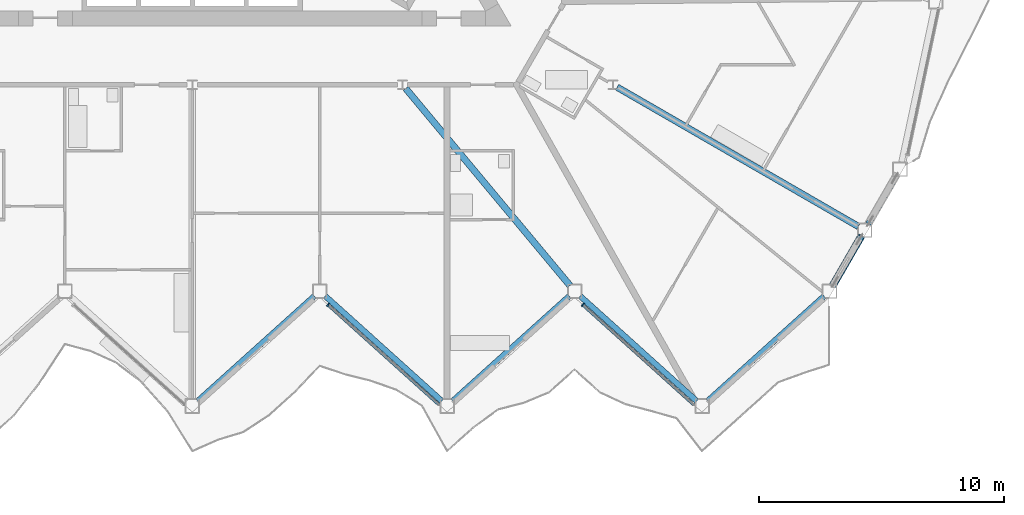
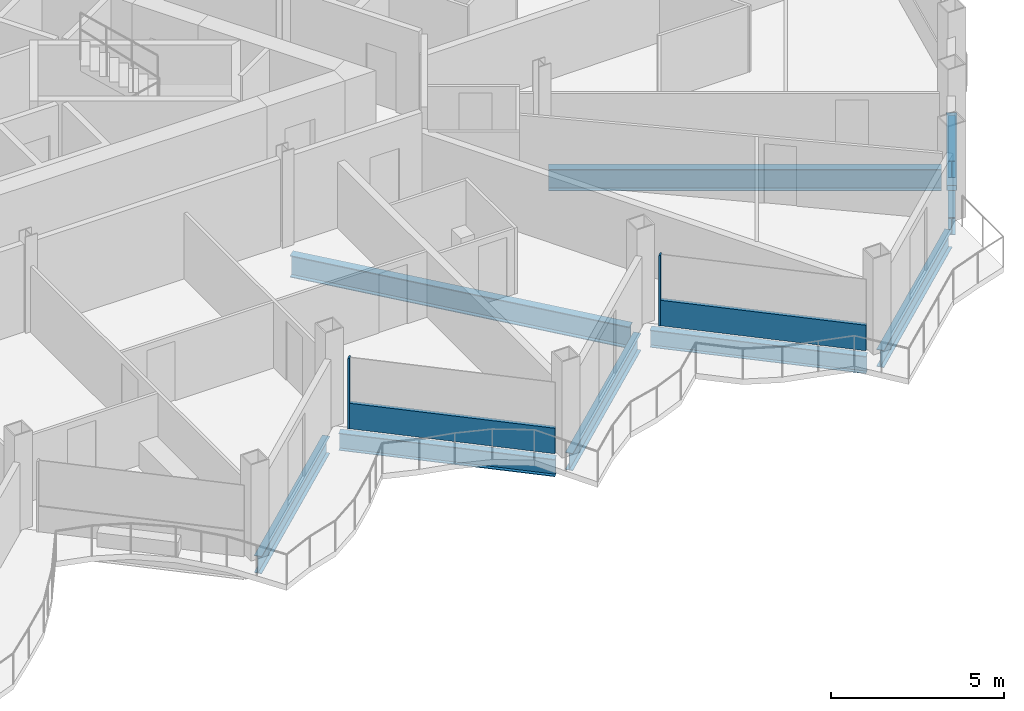
# One storey, part 7 of 27: 9 beams, 5 members, 2 elements without a shape of their own.
"""IFC4 building model written with IfcOpenShell, lengths in metres."""

from ifc_helpers import new_model, si_unit, direction, frame, origin, origin_2d, place, context, subcontext, project, spatial, rectangle, hollow_rectangle, i_section, extrude, material, layer, layer_set, material_profile, profile_set, type_object, element, aggregate, save


model = new_model("IFC4")

# Units and contexts
model_context = context("Model", 3, precision=1e-05, world=origin(), true_north=direction((0.0, 1.0)))
body_context = subcontext(model_context, "Body", "Model", "MODEL_VIEW")
ifc_project = project(units=[si_unit("LENGTHUNIT", "METRE"), si_unit("AREAUNIT", "SQUARE_METRE"), si_unit("VOLUMEUNIT", "CUBIC_METRE"), si_unit("PLANEANGLEUNIT", "RADIAN"), si_unit("MASSUNIT", "GRAM", prefix="KILO")], contexts=[model_context])

# Site, building, storey
site_placement = place(None, origin())
site = spatial("IfcSite", under=ifc_project, at=site_placement, CompositionType="ELEMENT")
building_placement = place(site_placement, origin())
building = spatial("IfcBuilding", under=site, at=building_placement, Name="Cormorant Prow Tower", CompositionType="ELEMENT")
storey_placement = place(building_placement, frame((0.0, 0.0, 332.39990234375)))
storey = spatial("IfcBuildingStorey", under=building, at=storey_placement, Name="L74", CompositionType="ELEMENT", Elevation=332.39990234375)

# Member
ifc_material_1 = material(Name="Structural steel ASTM A500 Gr C", Category="steel")
ifc_material_profile_1 = material_profile(ifc_material_1, hollow_rectangle(XDim=0.3046875, YDim=0.3046875, WallThickness=0.01171875, at=origin_2d()), Name="HSS12x12x1/2")
ifc_profile_set_1 = profile_set([ifc_material_profile_1], Name="Structural steel ASTM A500 Gr C")
member_type_1 = type_object("IfcMemberType", Name="Chamfer brace HSS12x12x1/2", PredefinedType="BRACE", material=ifc_profile_set_1)
member_1_placement = place(storey_placement, frame((26.15283203125, -18.05419921875, 0.7412109375), z_axis=(0.456265706889, 0.790324476185, 0.408911759503), x_axis=(-0.866038851724, 0.499976706761, 0.0)))
element("IfcMember", 1, at=member_1_placement, inside=storey, type_object=member_type_1, Name="Chamfer brace BR3 at ESE00 L74", PredefinedType="BRACE", context=body_context, shape_type="SweptSolid", body=[
    extrude(hollow_rectangle(XDim=0.3046875, YDim=0.3046875, WallThickness=0.01171875, at=origin_2d()), origin(), (0.0, 0.0, 1.0), 2.459228515625),
])

# Beams
ifc_material_2 = material(Name="Structural steel ASTM A992 Gr 50", Category="steel")
ifc_material_profile_2 = material_profile(ifc_material_2, i_section(OverallWidth=0.267822265625, OverallDepth=0.77001953125, WebThickness=0.015625, FlangeThickness=0.025390625, at=origin_2d()), Name="W30x132")
ifc_profile_set_2 = profile_set([ifc_material_profile_2], Name="Structural steel ASTM A992 Gr 50")
beam_type_1 = type_object("IfcBeamType", Name="Radial floor beam W30x132", PredefinedType="BEAM", material=ifc_profile_set_2)
beam_1_placement = place(storey_placement, frame((8.705078125, -10.057373046875, -0.684814453125), z_axis=(0.640239469619, -0.768175384624, 0.0), x_axis=(0.768175384624, 0.640239469619, 0.0)))
element("IfcBeam", 2, at=beam_1_placement, inside=storey, type_object=beam_type_1, Name="Radial floor beam FB3 8 L74", PredefinedType="BEAM", context=body_context, shape_type="SweptSolid", body=[
    extrude(i_section(OverallWidth=0.267822265625, OverallDepth=0.77001953125, WebThickness=0.015625, FlangeThickness=0.025390625, at=origin_2d()), origin(), (0.0, 0.0, 1.0), 10.465087890625),
])
beam_2_placement = place(storey_placement, frame((17.328125, -10.00439453125, -0.684814453125), z_axis=(0.866024637028, -0.500001328059, 0.0), x_axis=(0.500001328059, 0.866024637028, 0.0)))
element("IfcBeam", 3, at=beam_2_placement, inside=storey, type_object=beam_type_1, Name="Radial floor beam FB3 9 L74", PredefinedType="BEAM", context=body_context, shape_type="SweptSolid", body=[
    extrude(i_section(OverallWidth=0.267822265625, OverallDepth=0.77001953125, WebThickness=0.015625, FlangeThickness=0.025390625, at=origin_2d()), origin(), (0.0, 0.0, 1.0), 11.3671875),
])

# Curtain wall, member
ifc_material_3 = material(Name="Aluminium 6063-T6", Category="aluminium")
ifc_layer = layer(ifc_material_3, 0.159912109375)
ifc_layer_set = layer_set([ifc_layer], Name="Aluminium 6063-T6")
curtain_wall_type = type_object("IfcCurtainWallType", Name="Residential unitised curtain wall 160", PredefinedType="NOTDEFINED", material=ifc_layer_set)
curtain_wall_1_placement = place(storey_placement, origin())
curtain_wall_1 = element("IfcCurtainWall", 4, at=curtain_wall_1_placement, inside=storey, type_object=curtain_wall_type, Name="Residential curtain wall S06", PredefinedType="NOTDEFINED")
ifc_material_4 = material(Name="Aluminium 6063-T6", Category="aluminium")
ifc_material_profile_3 = material_profile(ifc_material_4, rectangle(XDim=0.159912109375, YDim=0.050048828125, at=origin_2d()), Name="Residential mullion 50x160")
ifc_profile_set_3 = profile_set([ifc_material_profile_3], Name="Aluminium 6063-T6")
member_type_2 = type_object("IfcMemberType", Name="Residential mullion 50x160", PredefinedType="MULLION", material=ifc_profile_set_3)
member_2_placement = place(storey_placement, frame((5.537353515625, -18.885009765625, 0.0), z_axis=(0.0, 0.0, 1.0), x_axis=(0.669130588628, 0.743144841442, 0.0)))
member_2 = element("IfcMember", 5, at=member_2_placement, type_object=member_type_2, Name="Residential mullion S06", PredefinedType="MULLION", context=body_context, shape_type="SweptSolid", body=[
    extrude(rectangle(XDim=0.159912109375, YDim=0.050048828125, at=origin_2d()), origin(), (0.0, 0.0, 1.0), 2.488037109375),
])

curtain_wall_2_placement = place(storey_placement, origin())
curtain_wall_2 = element("IfcCurtainWall", 6, at=curtain_wall_2_placement, inside=storey, type_object=curtain_wall_type, Name="Residential curtain wall S08", PredefinedType="NOTDEFINED")
member_3_placement = place(storey_placement, frame((15.929931640625, -18.885009765625, 0.0), z_axis=(0.0, 0.0, 1.0), x_axis=(0.669130588628, 0.743144841442, 0.0)))
member_3 = element("IfcMember", 7, at=member_3_placement, type_object=member_type_2, Name="Residential mullion S08", PredefinedType="MULLION", context=body_context, shape_type="SweptSolid", body=[
    extrude(rectangle(XDim=0.159912109375, YDim=0.050048828125, at=origin_2d()), origin(), (0.0, 0.0, 1.0), 2.488037109375),
])

# Member
ifc_material_5 = material(Name="Terracotta", Category="masonry")
ifc_material_profile_4 = material_profile(ifc_material_5, rectangle(XDim=0.1201171875, YDim=0.89990234375, at=origin_2d()), Name="Residential terracotta spandrel rail 120x900")
ifc_profile_set_4 = profile_set([ifc_material_profile_4], Name="Terracotta")
member_type_3 = type_object("IfcMemberType", Name="Residential terracotta spandrel rail 120x900", PredefinedType="USERDEFINED", material=ifc_profile_set_4)
member_4_placement = place(storey_placement, frame((5.555908203125, -18.901611328125, 0.4501953125), z_axis=(0.743154234406, -0.669120156538, 0.0), x_axis=(0.669120156538, 0.743154234406, 0.0)))
member_4 = element("IfcMember", 8, at=member_4_placement, type_object=member_type_3, Name="Residential spandrel rail S06", ObjectType="TRANSOM", PredefinedType="USERDEFINED", context=body_context, shape_type="SweptSolid", body=[
    extrude(rectangle(XDim=0.1201171875, YDim=0.89990234375, at=origin_2d()), origin(), (0.0, 0.0, 1.0), 6.07421875),
])

aggregate(curtain_wall_1, [member_2, member_4])

member_5_placement = place(storey_placement, frame((15.948486328125, -18.901611328125, 0.4501953125), z_axis=(0.743154234406, -0.669120156538, 0.0), x_axis=(0.669120156538, 0.743154234406, 0.0)))
member_5 = element("IfcMember", 9, at=member_5_placement, type_object=member_type_3, Name="Residential spandrel rail S08", ObjectType="TRANSOM", PredefinedType="USERDEFINED", context=body_context, shape_type="SweptSolid", body=[
    extrude(rectangle(XDim=0.1201171875, YDim=0.89990234375, at=origin_2d()), origin(), (0.0, 0.0, 1.0), 6.07421875),
])

aggregate(curtain_wall_2, [member_3, member_5])

# Beams
ifc_material_6 = material(Name="Structural steel ASTM A992 Gr 50", Category="steel")
ifc_material_profile_5 = material_profile(ifc_material_6, i_section(OverallWidth=0.22900390625, OverallDepth=0.612060546875, WebThickness=0.011962890625, FlangeThickness=0.01953125, at=origin_2d()), Name="W24x84")
ifc_profile_set_5 = profile_set([ifc_material_profile_5], Name="Structural steel ASTM A992 Gr 50")
beam_type_2 = type_object("IfcBeamType", Name="Spandrel beam W24x84", PredefinedType="SPANDREL", material=ifc_profile_set_5)
for number, where, z_axis, x_axis, name in (
    (10, (0.222900390625, -22.807373046875, -0.60595703125), (0.743144186555, 0.669131315954, 0.0), (-0.669131315954, 0.743144186555, 0.0), "Spandrel beam SB3 S05-S06 L74"),
    (11, (5.422119140625, -18.527587890625, -0.60595703125), (0.743144186555, -0.669131315954, 0.0), (0.669131315954, 0.743144186555, 0.0), "Spandrel beam SB3 S06-S07 L74"),
    (12, (10.62109375, -22.807373046875, -0.60595703125), (0.743144186555, 0.669131315954, 0.0), (-0.669131315954, 0.743144186555, 0.0), "Spandrel beam SB3 S07-S08 L74"),
):
    element("IfcBeam", number, at=place(storey_placement, frame(where, z_axis=z_axis, x_axis=x_axis)), inside=storey, type_object=beam_type_2, Name=name, PredefinedType="SPANDREL", context=body_context, shape_type="SweptSolid", body=[
        extrude(i_section(OverallWidth=0.22900390625, OverallDepth=0.612060546875, WebThickness=0.011962890625, FlangeThickness=0.01953125, at=origin_2d()), origin(), (0.0, 0.0, 1.0), 6.39599609375),
    ])
beam_3_placement = place(storey_placement, frame((15.820068359375, -18.527587890625, -0.60595703125), z_axis=(0.743161276225, -0.669112335502, 0.0), x_axis=(0.669112335502, 0.743161276225, 0.0)))
element("IfcBeam", 13, at=beam_3_placement, inside=storey, type_object=beam_type_2, Name="Spandrel beam SB3 S08-S09 L74", PredefinedType="SPANDREL", context=body_context, shape_type="SweptSolid", body=[
    extrude(i_section(OverallWidth=0.22900390625, OverallDepth=0.612060546875, WebThickness=0.011962890625, FlangeThickness=0.01953125, at=origin_2d()), origin(), (0.0, 0.0, 1.0), 6.396240234375),
])
beam_4_placement = place(storey_placement, frame((21.019287109375, -22.807373046875, -0.60595703125), z_axis=(0.743144186555, 0.669131315954, 0.0), x_axis=(-0.669131315954, 0.743144186555, 0.0)))
element("IfcBeam", 14, at=beam_4_placement, inside=storey, type_object=beam_type_2, Name="Spandrel beam SB3 S09-ESE00 L74", PredefinedType="SPANDREL", context=body_context, shape_type="SweptSolid", body=[
    extrude(i_section(OverallWidth=0.22900390625, OverallDepth=0.612060546875, WebThickness=0.011962890625, FlangeThickness=0.01953125, at=origin_2d()), origin(), (0.0, 0.0, 1.0), 6.39599609375),
])
beam_5_placement = place(storey_placement, frame((26.1455078125, -18.06689453125, -0.60595703125), z_axis=(0.49997342893, 0.866040744055, 0.0), x_axis=(-0.866040744055, 0.49997342893, 0.0)))
element("IfcBeam", 15, at=beam_5_placement, inside=storey, type_object=beam_type_2, Name="Spandrel beam SB3 ESE00-ESE01 L74", PredefinedType="SPANDREL", context=body_context, shape_type="SweptSolid", body=[
    extrude(i_section(OverallWidth=0.22900390625, OverallDepth=0.612060546875, WebThickness=0.011962890625, FlangeThickness=0.01953125, at=origin_2d()), origin(), (0.0, 0.0, 1.0), 2.2734375),
])
beam_6_placement = place(storey_placement, frame((27.582275390625, -15.578125, -0.60595703125), z_axis=(0.500053962254, 0.865994246421, 0.0), x_axis=(-0.865994246421, 0.500053962254, 0.0)))
element("IfcBeam", 16, at=beam_6_placement, inside=storey, type_object=beam_type_2, Name="Spandrel beam SB3 ESE01-ENE00 L74", PredefinedType="SPANDREL", context=body_context, shape_type="SweptSolid", body=[
    extrude(i_section(OverallWidth=0.22900390625, OverallDepth=0.612060546875, WebThickness=0.011962890625, FlangeThickness=0.01953125, at=origin_2d()), origin(), (0.0, 0.0, 1.0), 2.273681640625),
])

save(model, "model.ifc")
